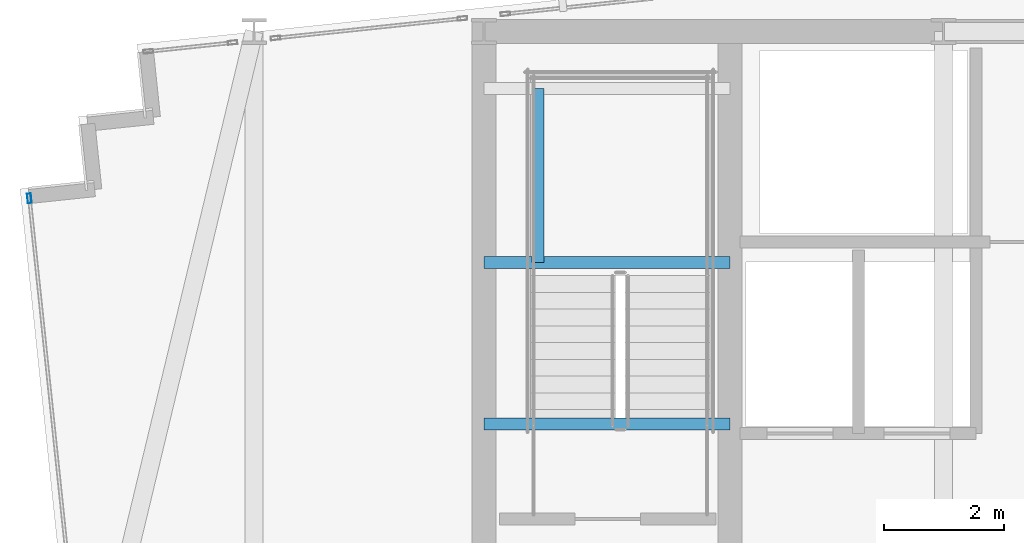
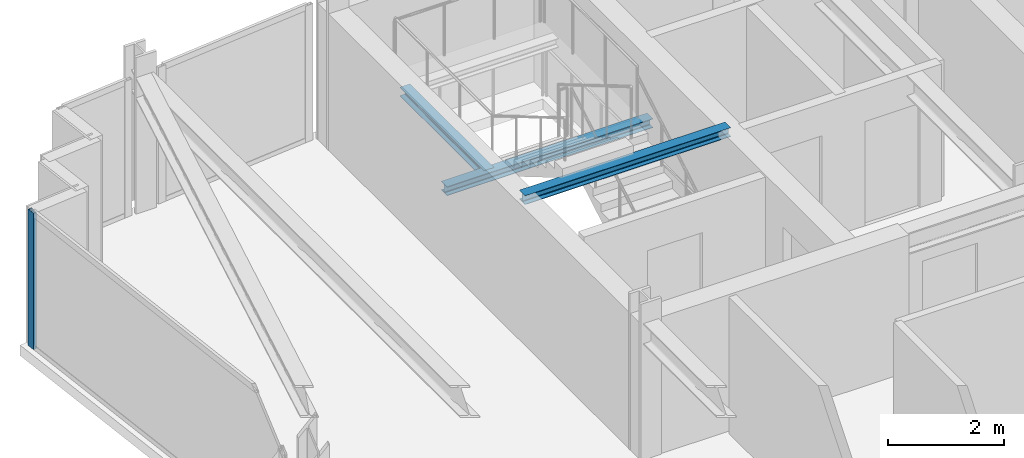
# One storey, part 12 of 33: 3 beams, 1 member, 1 element without a shape of its own.
"""IFC4 building model written with IfcOpenShell, lengths in metres."""

from ifc_helpers import new_model, si_unit, direction, frame, origin, origin_2d, place, context, subcontext, project, spatial, hollow_rectangle, i_section, extrude, material, material_profile, profile_set, type_object, element, aggregate, save


model = new_model("IFC4")

# Units and contexts
model_context = context("Model", 3, precision=1e-05, world=origin(), true_north=direction((0.0, 1.0)))
body_context = subcontext(model_context, "Body", "Model", "MODEL_VIEW")
ifc_project = project(units=[si_unit("LENGTHUNIT", "METRE"), si_unit("AREAUNIT", "SQUARE_METRE"), si_unit("VOLUMEUNIT", "CUBIC_METRE"), si_unit("PLANEANGLEUNIT", "RADIAN"), si_unit("MASSUNIT", "GRAM", prefix="KILO")], contexts=[model_context])

# Site, building, storey
site_placement = place(None, origin())
site = spatial("IfcSite", under=ifc_project, at=site_placement, CompositionType="ELEMENT")
building_placement = place(site_placement, origin())
building = spatial("IfcBuilding", under=site, at=building_placement, Name="Yelkora Congress Tower", CompositionType="ELEMENT")
storey_placement = place(building_placement, frame((0.0, 0.0, 244.10009765625)))
storey = spatial("IfcBuildingStorey", under=building, at=storey_placement, Name="L68", CompositionType="ELEMENT", Elevation=244.10009765625)

# Beams
ifc_material_1 = material(Name="Steel S355J2", Category="steel")
ifc_material_profile_1 = material_profile(ifc_material_1, i_section(OverallWidth=0.199951171875, OverallDepth=0.18994140625, WebThickness=0.006591796875, FlangeThickness=0.010009765625, FilletRadius=0.01806640625, at=origin_2d()), Name="HEA 200")
ifc_profile_set_1 = profile_set([ifc_material_profile_1], Name="Steel S355J2")
beam_type = type_object("IfcBeamType", Name="BM-LAND-HEA200", PredefinedType="BEAM", material=ifc_profile_set_1)
beam_1_placement = place(storey_placement, frame((23.0400390625, 42.340087890625, 1.33447265625), z_axis=(1.0, 0.0, 0.0), x_axis=(0.0, 1.0, 0.0)))
element("IfcBeam", 1, at=beam_1_placement, inside=storey, type_object=beam_type, Name="ST-01 L68 Landing Header Beam 1S", PredefinedType="BEAM", context=body_context, shape_type="SweptSolid", body=[
    extrude(i_section(OverallWidth=0.199951171875, OverallDepth=0.18994140625, WebThickness=0.006591796875, FlangeThickness=0.010009765625, FilletRadius=0.01806640625, at=origin_2d()), origin(), (0.0, 0.0, 1.0), 4.10986328125),
])
beam_2_placement = place(storey_placement, frame((23.93994140625, 42.340087890625, 1.33447265625), z_axis=(0.0, 1.0, 0.0), x_axis=(-1.0, 0.0, 0.0)))
element("IfcBeam", 2, at=beam_2_placement, inside=storey, type_object=beam_type, Name="ST-01 L68 Landing Trimmer Beam 1M", PredefinedType="BEAM", context=body_context, shape_type="SweptSolid", body=[
    extrude(i_section(OverallWidth=0.199951171875, OverallDepth=0.18994140625, WebThickness=0.006591796875, FlangeThickness=0.010009765625, FilletRadius=0.01806640625, at=origin_2d()), origin(), (0.0, 0.0, 1.0), 2.909912109375),
])
beam_3_placement = place(storey_placement, frame((23.0400390625, 39.639892578125, 2.784423828125), z_axis=(1.0, 0.0, 0.0), x_axis=(0.0, 1.0, 0.0)))
element("IfcBeam", 3, at=beam_3_placement, inside=storey, type_object=beam_type, Name="ST-01 L68 Floor Arrival Stringer Header Beam", PredefinedType="BEAM", context=body_context, shape_type="SweptSolid", body=[
    extrude(i_section(OverallWidth=0.199951171875, OverallDepth=0.18994140625, WebThickness=0.006591796875, FlangeThickness=0.010009765625, FilletRadius=0.01806640625, at=origin_2d()), origin(), (0.0, 0.0, 1.0), 4.10986328125),
])

# Curtain wall, member
ifc_material_2 = material(Name="Anodised aluminium and insulated glass", Category="aluminium")
curtain_wall_type = type_object("IfcCurtainWallType", Name="CW-SYS-B4", PredefinedType="NOTDEFINED", material=ifc_material_2)
curtain_wall_placement = place(storey_placement, origin())
curtain_wall = element("IfcCurtainWall", 4, at=curtain_wall_placement, inside=storey, type_object=curtain_wall_type, Name="L68 Unitised Curtain Wall 5", PredefinedType="NOTDEFINED")
ifc_material_3 = material(Name="Anodised aluminium 6063-T6", Category="aluminium")
ifc_material_profile_2 = material_profile(ifc_material_3, hollow_rectangle(XDim=0.06494140625, YDim=0.159912109375, WallThickness=0.00390625, at=origin_2d()), Name="ALU 65x160x4")
ifc_profile_set_2 = profile_set([ifc_material_profile_2], Name="Anodised aluminium 6063-T6")
member_type = type_object("IfcMemberType", Name="MEM-ML-B4", PredefinedType="MULLION", material=ifc_profile_set_2)
member_placement = place(storey_placement, frame((15.444580078125, 43.412353515625, 0.0), z_axis=(0.0, 0.0, 1.0), x_axis=(-0.994522145958, -0.104526079034, 0.0)))
member = element("IfcMember", 5, at=member_placement, type_object=member_type, Name="CW-B4 mullion 5", PredefinedType="MULLION", context=body_context, shape_type="SweptSolid", body=[
    extrude(hollow_rectangle(XDim=0.06494140625, YDim=0.159912109375, WallThickness=0.00390625, at=origin_2d()), origin(), (0.0, 0.0, 1.0), 2.8798828125),
])
aggregate(curtain_wall, [member])

save(model, "model.ifc")
